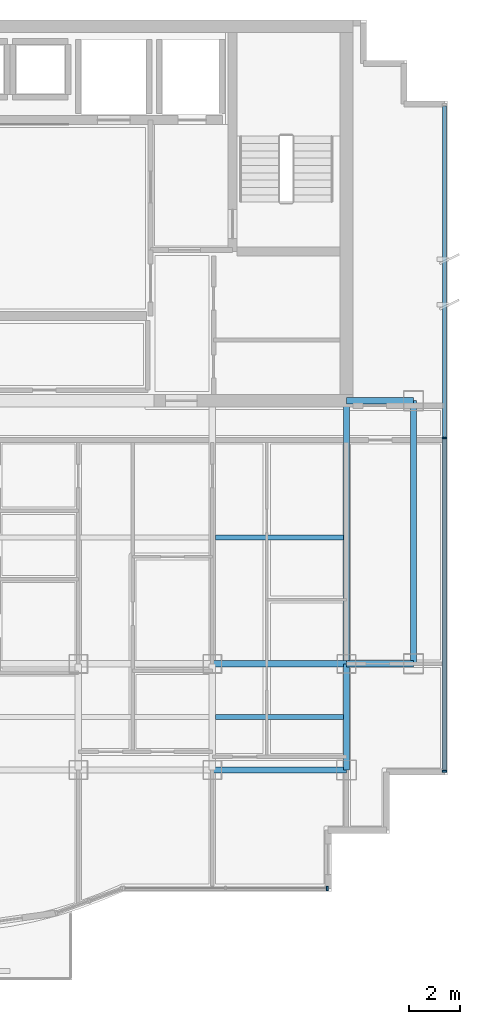
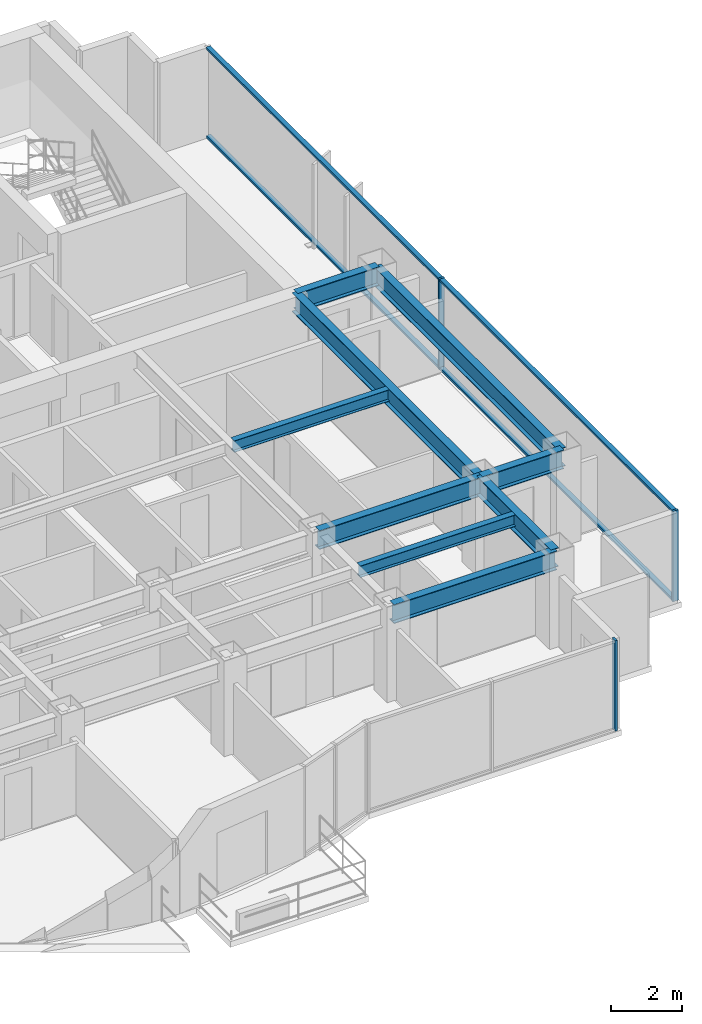
# One storey, part 4 of 12: 9 beams, 7 members, 2 elements without a shape of their own.
"""IFC4 building model written with IfcOpenShell, lengths in metres."""

from ifc_helpers import new_model, si_unit, direction, frame, origin, origin_2d, place, context, subcontext, project, spatial, rectangle, i_section, extrude, source, transform, mapped, material, layer, layer_set, material_profile, profile_set, type_object, element, aggregate, save


model = new_model("IFC4")

# Units and contexts
model_context = context("Model", 3, precision=1e-05, world=origin(), true_north=direction((0.0, 1.0)))
body_context = subcontext(model_context, "Body", "Model", "MODEL_VIEW")
ifc_project = project(units=[si_unit("LENGTHUNIT", "METRE"), si_unit("AREAUNIT", "SQUARE_METRE"), si_unit("VOLUMEUNIT", "CUBIC_METRE"), si_unit("PLANEANGLEUNIT", "RADIAN"), si_unit("MASSUNIT", "GRAM", prefix="KILO")], contexts=[model_context])

# Site, building, storey
site_placement = place(None, origin())
site = spatial("IfcSite", under=ifc_project, at=site_placement, CompositionType="ELEMENT")
building_placement = place(site_placement, origin())
building = spatial("IfcBuilding", under=site, at=building_placement, Name="Qianlan Lanfeng Residences", CompositionType="ELEMENT")
storey_placement = place(building_placement, frame((0.0, 0.0, 216.5)))
storey = spatial("IfcBuildingStorey", under=building, at=storey_placement, Name="L59", CompositionType="ELEMENT", Elevation=216.5)

# Beams
ifc_material_1 = material(Name="Steel SN490B", Category="steel")
ifc_material_profile_1 = material_profile(ifc_material_1, i_section(OverallWidth=0.25, OverallDepth=0.64990234375, WebThickness=0.012939453125, FlangeThickness=0.02197265625, at=origin_2d()), Name="H 650x250x13x22")
ifc_profile_set_1 = profile_set([ifc_material_profile_1], Name="Steel SN490B")
beam_type_1 = type_object("IfcBeamType", Name="G-650", PredefinedType="BEAM", material=ifc_profile_set_1)
for number, where, z_axis, x_axis, name in (
    (1, (37.10009765625, 10.60009765625, 2.784912109375), (1.0, 0.0, 0.0), (0.0, 1.0, 0.0), "Structural beam G-650"),
    (2, (37.10009765625, 14.800048828125, 2.784912109375), (1.0, 0.0, 0.0), (0.0, 1.0, 0.0), "Structural beam G-650"),
):
    element("IfcBeam", number, at=place(storey_placement, frame(where, z_axis=z_axis, x_axis=x_axis)), inside=storey, type_object=beam_type_1, Name=name, PredefinedType="BEAM", context=body_context, shape_type="SweptSolid", body=[
        extrude(i_section(OverallWidth=0.25, OverallDepth=0.64990234375, WebThickness=0.012939453125, FlangeThickness=0.02197265625, at=origin_2d()), origin(), (0.0, 0.0, 1.0), 5.2998046875),
    ])
for number, where, z_axis, x_axis, name in (
    (3, (42.39990234375, 14.800048828125, 2.784912109375), (1.0, 0.0, 0.0), (0.0, 1.0, 0.0), "Structural beam G-650"),
    (4, (42.39990234375, 25.199951171875, 2.784912109375), (1.0, 0.0, 0.0), (0.0, 1.0, 0.0), "Structural beam G-650"),
):
    element("IfcBeam", number, at=place(storey_placement, frame(where, z_axis=z_axis, x_axis=x_axis)), inside=storey, type_object=beam_type_1, Name=name, PredefinedType="BEAM", context=body_context, shape_type="SweptSolid", body=[
        extrude(i_section(OverallWidth=0.25, OverallDepth=0.64990234375, WebThickness=0.012939453125, FlangeThickness=0.02197265625, at=origin_2d()), origin(), (0.0, 0.0, 1.0), 2.650146484375),
    ])
beam_1_placement = place(storey_placement, frame((42.39990234375, 10.60009765625, 2.784912109375), z_axis=(0.0, 1.0, 0.0), x_axis=(-1.0, 0.0, 0.0)))
element("IfcBeam", 5, at=beam_1_placement, inside=storey, type_object=beam_type_1, Name="Structural beam G-650", PredefinedType="BEAM", context=body_context, shape_type="SweptSolid", body=[
    extrude(i_section(OverallWidth=0.25, OverallDepth=0.64990234375, WebThickness=0.012939453125, FlangeThickness=0.02197265625, at=origin_2d()), origin(), (0.0, 0.0, 1.0), 4.199951171875),
])
beam_2_placement = place(storey_placement, frame((42.39990234375, 14.800048828125, 2.784912109375), z_axis=(0.0, 1.0, 0.0), x_axis=(-1.0, 0.0, 0.0)))
element("IfcBeam", 6, at=beam_2_placement, inside=storey, type_object=beam_type_1, Name="Structural beam G-650", PredefinedType="BEAM", context=body_context, shape_type="SweptSolid", body=[
    extrude(i_section(OverallWidth=0.25, OverallDepth=0.64990234375, WebThickness=0.012939453125, FlangeThickness=0.02197265625, at=origin_2d()), origin(), (0.0, 0.0, 1.0), 10.39990234375),
])
ifc_material_profile_2 = material_profile(ifc_material_1, i_section(OverallWidth=0.199951171875, OverallDepth=0.39990234375, WebThickness=0.008056640625, FlangeThickness=0.012939453125, at=origin_2d()), Name="H 400x200x8x13")
ifc_profile_set_2 = profile_set([ifc_material_profile_2], Name="Steel SN490B")
beam_type_2 = type_object("IfcBeamType", Name="J-400", PredefinedType="JOIST", material=ifc_profile_set_2)
for number, where, z_axis, x_axis, name in (
    (7, (37.22509765625, 12.699951171875, 2.909912109375), (1.0, 0.0, 0.0), (0.0, 1.0, 0.0), "Structural beam J-400"),
    (8, (37.22509765625, 19.800048828125, 2.909912109375), (1.0, 0.0, 0.0), (0.0, 1.0, 0.0), "Structural beam J-400"),
):
    element("IfcBeam", number, at=place(storey_placement, frame(where, z_axis=z_axis, x_axis=x_axis)), inside=storey, type_object=beam_type_2, Name=name, PredefinedType="JOIST", context=body_context, shape_type="SweptSolid", body=[
        extrude(i_section(OverallWidth=0.199951171875, OverallDepth=0.39990234375, WebThickness=0.008056640625, FlangeThickness=0.012939453125, at=origin_2d()), origin(), (0.0, 0.0, 1.0), 5.0498046875),
    ])
ifc_material_profile_3 = material_profile(ifc_material_1, i_section(OverallWidth=0.25, OverallDepth=0.64990234375, WebThickness=0.012939453125, FlangeThickness=0.02197265625, at=origin_2d()), Name="H 650x250x13x22")
ifc_profile_set_3 = profile_set([ifc_material_profile_3], Name="Steel SN490B")
beam_type_3 = type_object("IfcBeamType", Name="SG-650", PredefinedType="SPANDREL", material=ifc_profile_set_3)
beam_3_placement = place(storey_placement, frame((45.050048828125, 14.800048828125, 2.764892578125), z_axis=(0.0, 1.0, 0.0), x_axis=(-1.0, 0.0, 0.0)))
element("IfcBeam", 9, at=beam_3_placement, inside=storey, type_object=beam_type_3, Name="Structural beam SG-650", PredefinedType="SPANDREL", context=body_context, shape_type="SweptSolid", body=[
    extrude(i_section(OverallWidth=0.25, OverallDepth=0.64990234375, WebThickness=0.012939453125, FlangeThickness=0.02197265625, at=origin_2d()), origin(), (0.0, 0.0, 1.0), 10.39990234375),
])

# Curtain wall, member
ifc_material_2 = material(Name="Anodised Bronze Aluminium 6063-T6", Category="aluminium")
ifc_layer = layer(ifc_material_2, 0.219970703125)
ifc_layer_set = layer_set([ifc_layer], Name="Anodised Bronze Aluminium 6063-T6")
curtain_wall_type = type_object("IfcCurtainWallType", Name="CW-05", PredefinedType="NOTDEFINED", material=ifc_layer_set)
curtain_wall_1_placement = place(storey_placement, origin())
curtain_wall_1 = element("IfcCurtainWall", 10, at=curtain_wall_1_placement, inside=storey, type_object=curtain_wall_type, Name="L59 Unitised Curtain Wall CWR-L59-03 (CW-05)", PredefinedType="NOTDEFINED")
ifc_material_profile_4 = material_profile(ifc_material_2, rectangle(XDim=0.074951171875, YDim=0.179931640625, at=origin_2d()), Name="ALU MULLION 75x180")
ifc_profile_set_4 = profile_set([ifc_material_profile_4], Name="Anodised Bronze Aluminium 6063-T6")
member_type_1 = type_object("IfcMemberType", Name="CWM-180", PredefinedType="MULLION", material=ifc_profile_set_4)
shared_shape_1 = source(origin(), body_context, "Body", "SweptSolid", [
    extrude(rectangle(XDim=0.074951171875, YDim=0.179931640625, at=origin_2d()), origin(), (0.0, 0.0, 1.0), 3.110107421875),
])
member_1_placement = place(storey_placement, frame((41.642578125, 5.919921875, 0.0), z_axis=(0.0, 0.0, 1.0), x_axis=(1.0, 0.0, 0.0)))
member_1 = element("IfcMember", 11, at=member_1_placement, type_object=member_type_1, Name="CWR-L59-03 Mullion 3", PredefinedType="MULLION", context=body_context, shape_type="MappedRepresentation", body=[
    mapped(shared_shape_1, transform((0.0, 0.0, 0.0), scale=1.0)),
])
aggregate(curtain_wall_1, [member_1])

# Curtain wall, members
curtain_wall_2_placement = place(storey_placement, origin())
curtain_wall_2 = element("IfcCurtainWall", 12, at=curtain_wall_2_placement, inside=storey, type_object=curtain_wall_type, Name="L59 Unitised Curtain Wall CWR-L59-04 (CW-05)", PredefinedType="NOTDEFINED")
member_2_placement = place(storey_placement, frame((46.280029296875, 10.5576171875, 0.0), z_axis=(0.0, 0.0, 1.0), x_axis=(0.0, 1.0, 0.0)))
member_2 = element("IfcMember", 13, at=member_2_placement, type_object=member_type_1, Name="CWR-L59-04 Mullion 1", PredefinedType="MULLION", context=body_context, shape_type="MappedRepresentation", body=[
    mapped(shared_shape_1, transform((0.0, 0.0, 0.0), scale=1.0)),
])
member_3_placement = place(storey_placement, frame((46.280029296875, 23.72509765625, 0.0), z_axis=(0.0, 0.0, 1.0), x_axis=(0.0, 1.0, 0.0)))
member_3 = element("IfcMember", 14, at=member_3_placement, type_object=member_type_1, Name="CWR-L59-04 Mullion 2", PredefinedType="MULLION", context=body_context, shape_type="MappedRepresentation", body=[
    mapped(shared_shape_1, transform((0.0, 0.0, 0.0), scale=1.0)),
])
ifc_material_profile_5 = material_profile(ifc_material_2, rectangle(XDim=0.074951171875, YDim=0.14990234375, at=origin_2d()), Name="ALU TRANSOM 75x150")
ifc_profile_set_5 = profile_set([ifc_material_profile_5], Name="Anodised Bronze Aluminium 6063-T6")
member_type_2 = type_object("IfcMemberType", Name="CWT-150", PredefinedType="USERDEFINED", material=ifc_profile_set_5)
shared_shape_2 = source(origin(), body_context, "Body", "SweptSolid", [
    extrude(rectangle(XDim=0.074951171875, YDim=0.14990234375, at=origin_2d()), origin(), (0.0, 0.0, 1.0), 13.092529296875),
])
member_4_placement = place(storey_placement, frame((46.280029296875, 10.594970703125, 0.03759765625), z_axis=(0.0, 1.0, 0.0), x_axis=(0.0, 0.0, 1.0)))
member_4 = element("IfcMember", 15, at=member_4_placement, type_object=member_type_2, Name="CWR-L59-04 Transom 1-BOT", ObjectType="TRANSOM", PredefinedType="USERDEFINED", context=body_context, shape_type="MappedRepresentation", body=[
    mapped(shared_shape_2, transform((0.0, 0.0, 0.0), scale=1.0)),
])
member_5_placement = place(storey_placement, frame((46.280029296875, 10.594970703125, 3.072509765625), z_axis=(0.0, 1.0, 0.0), x_axis=(0.0, 0.0, 1.0)))
member_5 = element("IfcMember", 16, at=member_5_placement, type_object=member_type_2, Name="CWR-L59-04 Transom 1-TOP", ObjectType="TRANSOM", PredefinedType="USERDEFINED", context=body_context, shape_type="MappedRepresentation", body=[
    mapped(shared_shape_2, transform((0.0, 0.0, 0.0), scale=1.0)),
])
member_6_placement = place(storey_placement, frame((46.280029296875, 23.762451171875, 0.03759765625), z_axis=(0.0, 1.0, 0.0), x_axis=(0.0, 0.0, 1.0)))
member_6 = element("IfcMember", 17, at=member_6_placement, type_object=member_type_2, Name="CWR-L59-04 Transom 2-BOT", ObjectType="TRANSOM", PredefinedType="USERDEFINED", context=body_context, shape_type="MappedRepresentation", body=[
    mapped(shared_shape_2, transform((0.0, 0.0, 0.0), scale=1.0)),
])
member_7_placement = place(storey_placement, frame((46.280029296875, 23.762451171875, 3.072509765625), z_axis=(0.0, 1.0, 0.0), x_axis=(0.0, 0.0, 1.0)))
member_7 = element("IfcMember", 18, at=member_7_placement, type_object=member_type_2, Name="CWR-L59-04 Transom 2-TOP", ObjectType="TRANSOM", PredefinedType="USERDEFINED", context=body_context, shape_type="MappedRepresentation", body=[
    mapped(shared_shape_2, transform((0.0, 0.0, 0.0), scale=1.0)),
])
aggregate(curtain_wall_2, [member_2, member_3, member_4, member_5, member_6, member_7])

save(model, "model.ifc")
